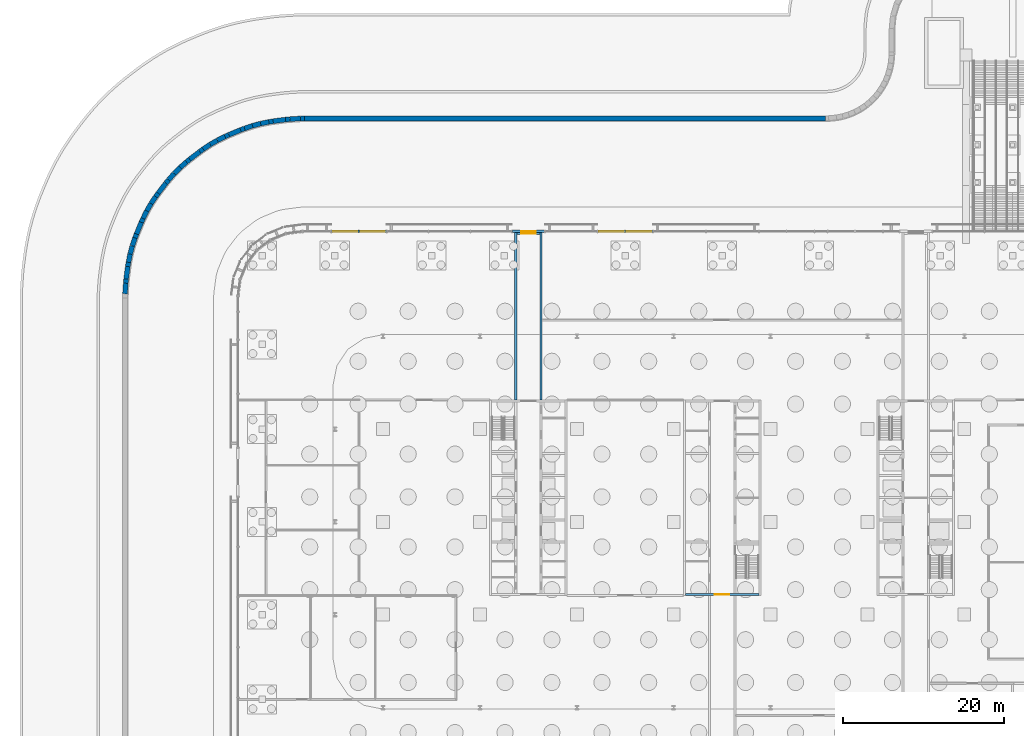
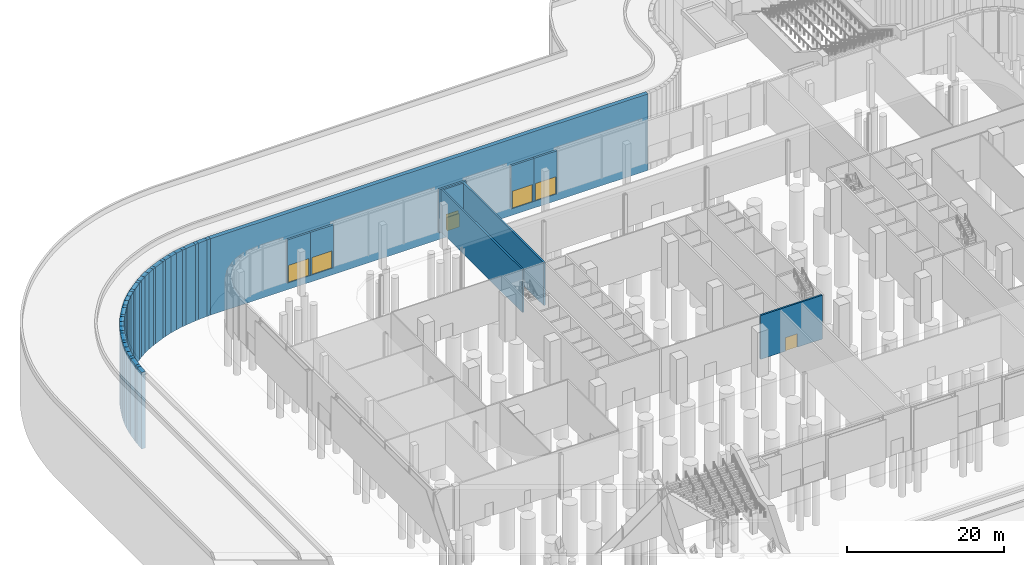
# One storey, part 26 of 48: 46 walls, 7 doors, 7 openings.
"""IFC4 building model written with IfcOpenShell, lengths in metres."""

from ifc_helpers import new_model, si_unit, direction, frame, frame_2d, origin, place, context, subcontext, project, spatial, rectangle, extrude, material, layer, layer_set, type_object, element, fill, save


model = new_model("IFC4")

# Units and contexts
model_context = context("Model", 3, precision=1e-05, world=origin(), true_north=direction((0.0, 1.0)))
body_context = subcontext(model_context, "Body", "Model", "MODEL_VIEW")
ifc_project = project(units=[si_unit("LENGTHUNIT", "METRE"), si_unit("AREAUNIT", "SQUARE_METRE"), si_unit("VOLUMEUNIT", "CUBIC_METRE"), si_unit("PLANEANGLEUNIT", "RADIAN"), si_unit("MASSUNIT", "GRAM", prefix="KILO")], contexts=[model_context])

# Site, building, storey
site_placement = place(None, origin())
site = spatial("IfcSite", under=ifc_project, at=site_placement, CompositionType="ELEMENT")
building_placement = place(site_placement, origin())
building = spatial("IfcBuilding", under=site, at=building_placement, Name="Mahtab Terrace Research Tower", CompositionType="ELEMENT")
storey_placement = place(building_placement, origin())
storey = spatial("IfcBuildingStorey", under=building, at=storey_placement, Name="G", CompositionType="ELEMENT", Elevation=0.0)

# Wall, opening, door
ifc_material_1 = material(Name="Concrete C70/85", Category="concrete")
ifc_layer_1 = layer(ifc_material_1, 0.25)
ifc_layer_set_1 = layer_set([ifc_layer_1], Name="Core wall 250")
wall_type_1 = type_object("IfcWallType", Name="Core wall 250", PredefinedType="SOLIDWALL", material=ifc_layer_set_1)
wall_1_placement = place(storey_placement, frame((4.550048828125, -9.0, 0.0), z_axis=(0.0, 0.0, 1.0), x_axis=(-1.0, 0.0, 0.0)))
wall_1 = element("IfcWall", 1, at=wall_1_placement, inside=storey, type_object=wall_type_1, Name="Core wall B endS", PredefinedType="SOLIDWALL", context=body_context, shape_type="SweptSolid", body=[
    extrude(rectangle(XDim=9.10009765625, YDim=0.25, at=frame_2d((4.550048828125, 0.0))), origin(), (0.0, 0.0, 1.0), 6.860107421875),
])
opening_1_placement = place(wall_1_placement, frame((3.64990234375, 0.0, 0.0)))
opening_1 = element("IfcOpeningElement", 2, at=opening_1_placement, cuts=wall_1, Name="Opening B-S1", PredefinedType="OPENING", context=body_context, shape_type="SweptSolid", body=[
    extrude(rectangle(XDim=1.800048828125, YDim=2.10009765625, at=frame_2d((0.89990234375, 1.050048828125))), frame((0.0, 0.135009765625, 0.0), z_axis=(0.0, -1.0, 0.0), x_axis=(1.0, 0.0, 0.0)), (0.0, 0.0, 1.0), 0.27001953125),
])
ifc_material_2 = material(Name="Steel fire door", Category="steel")
door_type_1 = type_object("IfcDoorType", Name="Lobby double door 1800x2100 1 HR", OperationType="DOUBLE_DOOR_SINGLE_SWING", PredefinedType="DOOR", material=ifc_material_2)
door_1_placement = place(opening_1_placement, origin())
door_1 = element("IfcDoor", 3, at=door_1_placement, inside=storey, type_object=door_type_1, Name="Core entrance door B S", OperationType="DOUBLE_DOOR_SINGLE_SWING", OverallHeight=2.10009765625, OverallWidth=1.800048828125, PredefinedType="DOOR", context=body_context, shape_type="SweptSolid", body=[
    extrude(rectangle(XDim=1.800048828125, YDim=2.10009765625, at=frame_2d((0.89990234375, 1.050048828125))), frame((0.0, 0.02490234375, 0.0), z_axis=(0.0, -1.0, 0.0), x_axis=(1.0, 0.0, 0.0)), (0.0, 0.0, 1.0), 0.050048828125),
])
fill(opening_1, door_1)

# Walls
for number, where, z_axis, x_axis, name in (
    (4, (-25.574951171875, 15.125, 0.0), (0.0, 0.0, 1.0), (0.0, 1.0, 0.0), "Exit passage ST1 wall W"),
    (5, (-22.425048828125, 15.125, 0.0), (0.0, 0.0, 1.0), (0.0, 1.0, 0.0), "Exit passage ST1 wall E"),
):
    element("IfcWall", number, at=place(storey_placement, frame(where, z_axis=z_axis, x_axis=x_axis)), inside=storey, type_object=wall_type_1, Name=name, PredefinedType="SOLIDWALL", context=body_context, shape_type="SweptSolid", body=[
        extrude(rectangle(XDim=20.72509765625, YDim=0.25, at=frame_2d((10.362548828125, 0.0))), origin(), (0.0, 0.0, 1.0), 6.699951171875),
    ])

# Wall, opening, door
wall_2_placement = place(storey_placement, frame((-25.449951171875, 35.72509765625, 0.0), z_axis=(0.0, 0.0, 1.0), x_axis=(1.0, 0.0, 0.0)))
wall_2 = element("IfcWall", 6, at=wall_2_placement, inside=storey, type_object=wall_type_1, Name="Exit passage ST1 end wall", PredefinedType="SOLIDWALL", context=body_context, shape_type="SweptSolid", body=[
    extrude(rectangle(XDim=2.89990234375, YDim=0.25, at=frame_2d((1.449951171875, 0.0))), origin(), (0.0, 0.0, 1.0), 6.699951171875),
])
opening_2_placement = place(wall_2_placement, frame((0.550048828125, 0.0, 0.0)))
opening_2 = element("IfcOpeningElement", 7, at=opening_2_placement, cuts=wall_2, Name="Opening EX-ST1", PredefinedType="OPENING", context=body_context, shape_type="SweptSolid", body=[
    extrude(rectangle(XDim=1.800048828125, YDim=2.10009765625, at=frame_2d((0.89990234375, 1.050048828125))), frame((0.0, 0.135009765625, 0.0), z_axis=(0.0, -1.0, 0.0), x_axis=(1.0, 0.0, 0.0)), (0.0, 0.0, 1.0), 0.27001953125),
])
ifc_material_3 = material(Name="Steel and glass door", Category="steel")
door_type_2 = type_object("IfcDoorType", Name="Exit door 1800x2100", OperationType="DOUBLE_DOOR_SINGLE_SWING", PredefinedType="DOOR", material=ifc_material_3)
door_2_placement = place(opening_2_placement, origin())
door_2 = element("IfcDoor", 8, at=door_2_placement, inside=storey, type_object=door_type_2, Name="Exit door ST1", OperationType="DOUBLE_DOOR_SINGLE_SWING", OverallHeight=2.10009765625, OverallWidth=1.800048828125, PredefinedType="DOOR", context=body_context, shape_type="SweptSolid", body=[
    extrude(rectangle(XDim=1.800048828125, YDim=2.10009765625, at=frame_2d((0.89990234375, 1.050048828125))), frame((0.0, 0.02490234375, 0.0), z_axis=(0.0, -1.0, 0.0), x_axis=(1.0, 0.0, 0.0)), (0.0, 0.0, 1.0), 0.050048828125),
])
fill(opening_2, door_2)

ifc_material_4 = material(Name="Precast concrete C40/50", Category="concrete")
ifc_layer_2 = layer(ifc_material_4, 0.300048828125)
ifc_layer_set_2 = layer_set([ifc_layer_2], Name="Ground facade infill wall 300")
wall_type_2 = type_object("IfcWallType", Name="Ground facade infill wall 300", PredefinedType="NOTDEFINED", material=ifc_layer_set_2)
wall_3_placement = place(storey_placement, frame((-12.0, 36.0, 0.0), z_axis=(0.0, 0.0, 1.0), x_axis=(1.0, 0.0, 0.0)))
wall_3 = element("IfcWall", 9, at=wall_3_placement, inside=storey, type_object=wall_type_2, Name="Ground facade wall Forum exit 2", PredefinedType="NOTDEFINED", context=body_context, shape_type="SweptSolid", body=[
    extrude(rectangle(XDim=3.39990234375, YDim=0.300048828125, at=frame_2d((1.699951171875, 0.0))), origin(), (0.0, 0.0, 1.0), 6.699951171875),
])
opening_3_placement = place(wall_3_placement, frame((0.199951171875, 0.0, 0.0)))
opening_3 = element("IfcOpeningElement", 10, at=opening_3_placement, cuts=wall_3, Name="Opening ED2", PredefinedType="OPENING", context=body_context, shape_type="SweptSolid", body=[
    extrude(rectangle(XDim=3.0, YDim=2.699951171875, at=frame_2d((1.5, 1.35009765625))), frame((0.0, 0.159912109375, 0.0), z_axis=(0.0, -1.0, 0.0), x_axis=(1.0, 0.0, 0.0)), (0.0, 0.0, 1.0), 0.320068359375),
])
ifc_material_5 = material(Name="Black anodised aluminium", Category="aluminium")
door_type_3 = type_object("IfcDoorType", Name="Entrance double door 3000x2700", OperationType="DOUBLE_DOOR_DOUBLE_SWING", PredefinedType="DOOR", material=ifc_material_5)
door_3_placement = place(opening_3_placement, origin())
door_3 = element("IfcDoor", 11, at=door_3_placement, inside=storey, type_object=door_type_3, Name="Forum exit 2", OperationType="SINGLE_SWING_LEFT", OverallHeight=2.699951171875, OverallWidth=3.0, PredefinedType="DOOR", context=body_context, shape_type="SweptSolid", body=[
    extrude(rectangle(XDim=3.0, YDim=2.699951171875, at=frame_2d((1.5, 1.35009765625))), frame((0.0, 0.02490234375, 0.0), z_axis=(0.0, -1.0, 0.0), x_axis=(1.0, 0.0, 0.0)), (0.0, 0.0, 1.0), 0.050048828125),
])
fill(opening_3, door_3)

wall_4_placement = place(storey_placement, frame((-15.39990234375, 36.0, 0.0), z_axis=(0.0, 0.0, 1.0), x_axis=(1.0, 0.0, 0.0)))
wall_4 = element("IfcWall", 12, at=wall_4_placement, inside=storey, type_object=wall_type_2, Name="Ground facade wall Forum exit 1", PredefinedType="NOTDEFINED", context=body_context, shape_type="SweptSolid", body=[
    extrude(rectangle(XDim=3.39990234375, YDim=0.300048828125, at=frame_2d((1.699951171875, 0.0))), origin(), (0.0, 0.0, 1.0), 6.699951171875),
])
opening_4_placement = place(wall_4_placement, frame((0.199951171875, 0.0, 0.0)))
opening_4 = element("IfcOpeningElement", 13, at=opening_4_placement, cuts=wall_4, Name="Opening ED2", PredefinedType="OPENING", context=body_context, shape_type="SweptSolid", body=[
    extrude(rectangle(XDim=3.0, YDim=2.699951171875, at=frame_2d((1.5, 1.35009765625))), frame((0.0, 0.159912109375, 0.0), z_axis=(0.0, -1.0, 0.0), x_axis=(1.0, 0.0, 0.0)), (0.0, 0.0, 1.0), 0.320068359375),
])
door_4_placement = place(opening_4_placement, origin())
door_4 = element("IfcDoor", 14, at=door_4_placement, inside=storey, type_object=door_type_3, Name="Forum exit 1", OperationType="SINGLE_SWING_LEFT", OverallHeight=2.699951171875, OverallWidth=3.0, PredefinedType="DOOR", context=body_context, shape_type="SweptSolid", body=[
    extrude(rectangle(XDim=3.0, YDim=2.699951171875, at=frame_2d((1.5, 1.35009765625))), frame((0.0, 0.02490234375, 0.0), z_axis=(0.0, -1.0, 0.0), x_axis=(1.0, 0.0, 0.0)), (0.0, 0.0, 1.0), 0.050048828125),
])
fill(opening_4, door_4)

wall_5_placement = place(storey_placement, frame((-26.0, 36.0, 0.0), z_axis=(0.0, 0.0, 1.0), x_axis=(1.0, 0.0, 0.0)))
wall_5 = element("IfcWall", 15, at=wall_5_placement, inside=storey, type_object=wall_type_2, Name="Ground facade wall Stair discharge ST1", PredefinedType="NOTDEFINED", context=body_context, shape_type="SweptSolid", body=[
    extrude(rectangle(XDim=4.0, YDim=0.300048828125, at=frame_2d((2.0, 0.0))), origin(), (0.0, 0.0, 1.0), 6.699951171875),
])
opening_5_placement = place(wall_5_placement, frame((1.10009765625, 0.0, 0.0)))
opening_5 = element("IfcOpeningElement", 16, at=opening_5_placement, cuts=wall_5, Name="Opening ED3", PredefinedType="OPENING", context=body_context, shape_type="SweptSolid", body=[
    extrude(rectangle(XDim=1.800048828125, YDim=2.39990234375, at=frame_2d((0.89990234375, 1.199951171875))), frame((0.0, 0.159912109375, 0.0), z_axis=(0.0, -1.0, 0.0), x_axis=(1.0, 0.0, 0.0)), (0.0, 0.0, 1.0), 0.320068359375),
])
door_type_4 = type_object("IfcDoorType", Name="Stair discharge door 1800x2400", OperationType="DOUBLE_DOOR_DOUBLE_SWING", PredefinedType="DOOR", material=ifc_material_5)
door_5_placement = place(opening_5_placement, origin())
door_5 = element("IfcDoor", 17, at=door_5_placement, inside=storey, type_object=door_type_4, Name="Stair discharge ST1", OperationType="SINGLE_SWING_LEFT", OverallHeight=2.39990234375, OverallWidth=1.800048828125, PredefinedType="DOOR", context=body_context, shape_type="SweptSolid", body=[
    extrude(rectangle(XDim=1.800048828125, YDim=2.39990234375, at=frame_2d((0.89990234375, 1.199951171875))), frame((0.0, 0.02490234375, 0.0), z_axis=(0.0, -1.0, 0.0), x_axis=(1.0, 0.0, 0.0)), (0.0, 0.0, 1.0), 0.050048828125),
])
fill(opening_5, door_5)

wall_6_placement = place(storey_placement, frame((-45.0, 36.0, 0.0), z_axis=(0.0, 0.0, 1.0), x_axis=(1.0, 0.0, 0.0)))
wall_6 = element("IfcWall", 18, at=wall_6_placement, inside=storey, type_object=wall_type_2, Name="Ground facade wall Auditorium exit 2", PredefinedType="NOTDEFINED", context=body_context, shape_type="SweptSolid", body=[
    extrude(rectangle(XDim=3.39990234375, YDim=0.300048828125, at=frame_2d((1.699951171875, 0.0))), origin(), (0.0, 0.0, 1.0), 6.699951171875),
])
opening_6_placement = place(wall_6_placement, frame((0.199951171875, 0.0, 0.0)))
opening_6 = element("IfcOpeningElement", 19, at=opening_6_placement, cuts=wall_6, Name="Opening ED2", PredefinedType="OPENING", context=body_context, shape_type="SweptSolid", body=[
    extrude(rectangle(XDim=3.0, YDim=2.699951171875, at=frame_2d((1.5, 1.35009765625))), frame((0.0, 0.159912109375, 0.0), z_axis=(0.0, -1.0, 0.0), x_axis=(1.0, 0.0, 0.0)), (0.0, 0.0, 1.0), 0.320068359375),
])
door_6_placement = place(opening_6_placement, origin())
door_6 = element("IfcDoor", 20, at=door_6_placement, inside=storey, type_object=door_type_3, Name="Auditorium exit 2", OperationType="SINGLE_SWING_LEFT", OverallHeight=2.699951171875, OverallWidth=3.0, PredefinedType="DOOR", context=body_context, shape_type="SweptSolid", body=[
    extrude(rectangle(XDim=3.0, YDim=2.699951171875, at=frame_2d((1.5, 1.35009765625))), frame((0.0, 0.02490234375, 0.0), z_axis=(0.0, -1.0, 0.0), x_axis=(1.0, 0.0, 0.0)), (0.0, 0.0, 1.0), 0.050048828125),
])
fill(opening_6, door_6)

wall_7_placement = place(storey_placement, frame((-48.39990234375, 36.0, 0.0), z_axis=(0.0, 0.0, 1.0), x_axis=(1.0, 0.0, 0.0)))
wall_7 = element("IfcWall", 21, at=wall_7_placement, inside=storey, type_object=wall_type_2, Name="Ground facade wall Auditorium exit 1", PredefinedType="NOTDEFINED", context=body_context, shape_type="SweptSolid", body=[
    extrude(rectangle(XDim=3.39990234375, YDim=0.300048828125, at=frame_2d((1.699951171875, 0.0))), origin(), (0.0, 0.0, 1.0), 6.699951171875),
])
opening_7_placement = place(wall_7_placement, frame((0.199951171875, 0.0, 0.0)))
opening_7 = element("IfcOpeningElement", 22, at=opening_7_placement, cuts=wall_7, Name="Opening ED2", PredefinedType="OPENING", context=body_context, shape_type="SweptSolid", body=[
    extrude(rectangle(XDim=3.0, YDim=2.699951171875, at=frame_2d((1.5, 1.35009765625))), frame((0.0, 0.159912109375, 0.0), z_axis=(0.0, -1.0, 0.0), x_axis=(1.0, 0.0, 0.0)), (0.0, 0.0, 1.0), 0.320068359375),
])
door_7_placement = place(opening_7_placement, origin())
door_7 = element("IfcDoor", 23, at=door_7_placement, inside=storey, type_object=door_type_3, Name="Auditorium exit 1", OperationType="SINGLE_SWING_LEFT", OverallHeight=2.699951171875, OverallWidth=3.0, PredefinedType="DOOR", context=body_context, shape_type="SweptSolid", body=[
    extrude(rectangle(XDim=3.0, YDim=2.699951171875, at=frame_2d((1.5, 1.35009765625))), frame((0.0, 0.02490234375, 0.0), z_axis=(0.0, -1.0, 0.0), x_axis=(1.0, 0.0, 0.0)), (0.0, 0.0, 1.0), 0.050048828125),
])
fill(opening_7, door_7)

# Walls
ifc_material_6 = material(Name="Concrete C32/40", Category="concrete")
ifc_layer_3 = layer(ifc_material_6, 0.60009765625)
ifc_layer_set_3 = layer_set([ifc_layer_3], Name="Site retaining wall 600")
wall_type_3 = type_object("IfcWallType", Name="Site retaining wall 600", PredefinedType="SOLIDWALL", material=ifc_layer_set_3)
wall_8_placement = place(storey_placement, frame((-73.35205078125, 33.181884765625, -12.25), z_axis=(0.0, 0.0, 1.0), x_axis=(0.259144501686, 0.965838561689, 0.0)))
element("IfcWall", 24, at=wall_8_placement, inside=storey, type_object=wall_type_3, Name="Site retaining wall 1", PredefinedType="SOLIDWALL", context=body_context, shape_type="SweptSolid", body=[
    extrude(rectangle(XDim=1.045654296875, YDim=0.60009765625, at=frame_2d((0.52294921875, 0.0))), origin(), (0.0, 0.0, 1.0), 11.93994140625),
])
wall_9_placement = place(storey_placement, frame((-73.0810546875, 34.19189453125, -12.25), z_axis=(0.0, 0.0, 1.0), x_axis=(0.321621966631, 0.946868159028, 0.0)))
element("IfcWall", 25, at=wall_9_placement, inside=storey, type_object=wall_type_3, Name="Site retaining wall 2", PredefinedType="SOLIDWALL", context=body_context, shape_type="SweptSolid", body=[
    extrude(rectangle(XDim=1.04443359375, YDim=0.60009765625, at=frame_2d((0.522216796875, 0.0))), origin(), (0.0, 0.0, 1.0), 11.93994140625),
])
wall_10_placement = place(storey_placement, frame((-72.7451171875, 35.180908203125, -12.25), z_axis=(0.0, 0.0, 1.0), x_axis=(0.352300871053, 0.93588679671, 0.0)))
element("IfcWall", 26, at=wall_10_placement, inside=storey, type_object=wall_type_3, Name="Site retaining wall 3", PredefinedType="SOLIDWALL", context=body_context, shape_type="SweptSolid", body=[
    extrude(rectangle(XDim=0.5224609375, YDim=0.60009765625, at=frame_2d((0.26123046875, 0.0))), origin(), (0.0, 0.0, 1.0), 11.93994140625),
])
wall_11_placement = place(storey_placement, frame((-72.56103515625, 35.669921875, -12.25), z_axis=(0.0, 0.0, 1.0), x_axis=(0.382765051235, 0.923845720645, 0.0)))
element("IfcWall", 27, at=wall_11_placement, inside=storey, type_object=wall_type_3, Name="Site retaining wall 4", PredefinedType="SOLIDWALL", context=body_context, shape_type="SweptSolid", body=[
    extrude(rectangle(XDim=1.565185546875, YDim=0.60009765625, at=frame_2d((0.78271484375, 0.0))), origin(), (0.0, 0.0, 1.0), 11.93994140625),
])
wall_12_placement = place(storey_placement, frame((-71.9619140625, 37.115966796875, -12.25), z_axis=(0.0, 0.0, 1.0), x_axis=(0.411336227133, 0.911483685124, 0.0)))
element("IfcWall", 28, at=wall_12_placement, inside=storey, type_object=wall_type_3, Name="Site retaining wall 5", PredefinedType="SOLIDWALL", context=body_context, shape_type="SweptSolid", body=[
    extrude(rectangle(XDim=0.522216796875, YDim=0.60009765625, at=frame_2d((0.26123046875, 0.0))), origin(), (0.0, 0.0, 1.0), 11.93994140625),
])
wall_13_placement = place(storey_placement, frame((-71.7470703125, 37.592041015625, -12.25), z_axis=(0.0, 0.0, 1.0), x_axis=(0.442346554803, 0.896844203557, 0.0)))
element("IfcWall", 29, at=wall_13_placement, inside=storey, type_object=wall_type_3, Name="Site retaining wall 6", PredefinedType="SOLIDWALL", context=body_context, shape_type="SweptSolid", body=[
    extrude(rectangle(XDim=1.044677734375, YDim=0.60009765625, at=frame_2d((0.5224609375, 0.0))), origin(), (0.0, 0.0, 1.0), 11.93994140625),
])
wall_14_placement = place(storey_placement, frame((-71.284912109375, 38.529052734375, -12.25), z_axis=(0.0, 0.0, 1.0), x_axis=(0.499904278411, 0.866080661617, 0.0)))
element("IfcWall", 30, at=wall_14_placement, inside=storey, type_object=wall_type_3, Name="Site retaining wall 7", PredefinedType="SOLIDWALL", context=body_context, shape_type="SweptSolid", body=[
    extrude(rectangle(XDim=1.046142578125, YDim=0.60009765625, at=frame_2d((0.52294921875, 0.0))), origin(), (0.0, 0.0, 1.0), 11.93994140625),
])
wall_15_placement = place(storey_placement, frame((-70.761962890625, 39.43505859375, -12.25), z_axis=(0.0, 0.0, 1.0), x_axis=(0.555671271426, 0.831402091717, 0.0)))
element("IfcWall", 31, at=wall_15_placement, inside=storey, type_object=wall_type_3, Name="Site retaining wall 8", PredefinedType="SOLIDWALL", context=body_context, shape_type="SweptSolid", body=[
    extrude(rectangle(XDim=1.0439453125, YDim=0.60009765625, at=frame_2d((0.52197265625, 0.0))), origin(), (0.0, 0.0, 1.0), 11.93994140625),
])
wall_16_placement = place(storey_placement, frame((-70.181884765625, 40.302978515625, -12.25), z_axis=(0.0, 0.0, 1.0), x_axis=(0.58291457385, 0.812533445215, 0.0)))
element("IfcWall", 32, at=wall_16_placement, inside=storey, type_object=wall_type_3, Name="Site retaining wall 9", PredefinedType="SOLIDWALL", context=body_context, shape_type="SweptSolid", body=[
    extrude(rectangle(XDim=0.523193359375, YDim=0.60009765625, at=frame_2d((0.26171875, 0.0))), origin(), (0.0, 0.0, 1.0), 11.93994140625),
])
wall_17_placement = place(storey_placement, frame((-69.876953125, 40.72802734375, -12.25), z_axis=(0.0, 0.0, 1.0), x_axis=(0.60832999878, 0.79368420205, 0.0)))
element("IfcWall", 33, at=wall_17_placement, inside=storey, type_object=wall_type_3, Name="Site retaining wall 10", PredefinedType="SOLIDWALL", context=body_context, shape_type="SweptSolid", body=[
    extrude(rectangle(XDim=1.564697265625, YDim=0.60009765625, at=frame_2d((0.7822265625, 0.0))), origin(), (0.0, 0.0, 1.0), 11.93994140625),
])
wall_18_placement = place(storey_placement, frame((-68.925048828125, 41.969970703125, -12.25), z_axis=(0.0, 0.0, 1.0), x_axis=(0.635086879422, 0.772440713315, 0.0)))
element("IfcWall", 34, at=wall_18_placement, inside=storey, type_object=wall_type_3, Name="Site retaining wall 11", PredefinedType="SOLIDWALL", context=body_context, shape_type="SweptSolid", body=[
    extrude(rectangle(XDim=0.5244140625, YDim=0.60009765625, at=frame_2d((0.26220703125, 0.0))), origin(), (0.0, 0.0, 1.0), 11.93994140625),
])
wall_19_placement = place(storey_placement, frame((-68.592041015625, 42.375, -12.25), z_axis=(0.0, 0.0, 1.0), x_axis=(0.658636785245, 0.752461019005, 0.0)))
element("IfcWall", 35, at=wall_19_placement, inside=storey, type_object=wall_type_3, Name="Site retaining wall 12", PredefinedType="SOLIDWALL", context=body_context, shape_type="SweptSolid", body=[
    extrude(rectangle(XDim=1.046142578125, YDim=0.60009765625, at=frame_2d((0.52294921875, 0.0))), origin(), (0.0, 0.0, 1.0), 11.93994140625),
])
wall_20_placement = place(storey_placement, frame((-67.903076171875, 43.162109375, -12.25), z_axis=(0.0, 0.0, 1.0), x_axis=(0.707106781187, 0.707106781187, 0.0)))
element("IfcWall", 36, at=wall_20_placement, inside=storey, type_object=wall_type_3, Name="Site retaining wall 13", PredefinedType="SOLIDWALL", context=body_context, shape_type="SweptSolid", body=[
    extrude(rectangle(XDim=1.0478515625, YDim=0.60009765625, at=frame_2d((0.52392578125, 0.0))), origin(), (0.0, 0.0, 1.0), 11.93994140625),
])
wall_21_placement = place(storey_placement, frame((-67.162109375, 43.903076171875, -12.25), z_axis=(0.0, 0.0, 1.0), x_axis=(0.751998439895, 0.65916488559, 0.0)))
element("IfcWall", 37, at=wall_21_placement, inside=storey, type_object=wall_type_3, Name="Site retaining wall 14", PredefinedType="SOLIDWALL", context=body_context, shape_type="SweptSolid", body=[
    extrude(rectangle(XDim=1.046630859375, YDim=0.60009765625, at=frame_2d((0.5234375, 0.0))), origin(), (0.0, 0.0, 1.0), 11.93994140625),
])
wall_22_placement = place(storey_placement, frame((-66.375, 44.593017578125, -12.25), z_axis=(0.0, 0.0, 1.0), x_axis=(0.773354637197, 0.633973662802, 0.0)))
element("IfcWall", 38, at=wall_22_placement, inside=storey, type_object=wall_type_3, Name="Site retaining wall 15", PredefinedType="SOLIDWALL", context=body_context, shape_type="SweptSolid", body=[
    extrude(rectangle(XDim=0.523681640625, YDim=0.60009765625, at=frame_2d((0.26171875, 0.0))), origin(), (0.0, 0.0, 1.0), 11.93994140625),
])
wall_23_placement = place(storey_placement, frame((-65.969970703125, 44.925048828125, -12.25), z_axis=(0.0, 0.0, 1.0), x_axis=(0.79368420205, 0.60832999878, 0.0)))
element("IfcWall", 39, at=wall_23_placement, inside=storey, type_object=wall_type_3, Name="Site retaining wall 16", PredefinedType="SOLIDWALL", context=body_context, shape_type="SweptSolid", body=[
    extrude(rectangle(XDim=1.564697265625, YDim=0.60009765625, at=frame_2d((0.7822265625, 0.0))), origin(), (0.0, 0.0, 1.0), 11.93994140625),
])
wall_24_placement = place(storey_placement, frame((-64.72802734375, 45.876953125, -12.25), z_axis=(0.0, 0.0, 1.0), x_axis=(0.812533445215, 0.58291457385, 0.0)))
element("IfcWall", 40, at=wall_24_placement, inside=storey, type_object=wall_type_3, Name="Site retaining wall 17", PredefinedType="SOLIDWALL", context=body_context, shape_type="SweptSolid", body=[
    extrude(rectangle(XDim=0.523193359375, YDim=0.60009765625, at=frame_2d((0.26171875, 0.0))), origin(), (0.0, 0.0, 1.0), 11.93994140625),
])
wall_25_placement = place(storey_placement, frame((-64.302978515625, 46.181884765625, -12.25), z_axis=(0.0, 0.0, 1.0), x_axis=(0.831402091717, 0.555671271426, 0.0)))
element("IfcWall", 41, at=wall_25_placement, inside=storey, type_object=wall_type_3, Name="Site retaining wall 18", PredefinedType="SOLIDWALL", context=body_context, shape_type="SweptSolid", body=[
    extrude(rectangle(XDim=1.0439453125, YDim=0.60009765625, at=frame_2d((0.52197265625, 0.0))), origin(), (0.0, 0.0, 1.0), 11.93994140625),
])
wall_26_placement = place(storey_placement, frame((-63.43505859375, 46.761962890625, -12.25), z_axis=(0.0, 0.0, 1.0), x_axis=(0.866080661617, 0.499904278411, 0.0)))
element("IfcWall", 42, at=wall_26_placement, inside=storey, type_object=wall_type_3, Name="Site retaining wall 19", PredefinedType="SOLIDWALL", context=body_context, shape_type="SweptSolid", body=[
    extrude(rectangle(XDim=1.046142578125, YDim=0.60009765625, at=frame_2d((0.52294921875, 0.0))), origin(), (0.0, 0.0, 1.0), 11.93994140625),
])
wall_27_placement = place(storey_placement, frame((-62.529052734375, 47.284912109375, -12.25), z_axis=(0.0, 0.0, 1.0), x_axis=(0.896844203557, 0.442346554803, 0.0)))
element("IfcWall", 43, at=wall_27_placement, inside=storey, type_object=wall_type_3, Name="Site retaining wall 20", PredefinedType="SOLIDWALL", context=body_context, shape_type="SweptSolid", body=[
    extrude(rectangle(XDim=1.044677734375, YDim=0.60009765625, at=frame_2d((0.5224609375, 0.0))), origin(), (0.0, 0.0, 1.0), 11.93994140625),
])
wall_28_placement = place(storey_placement, frame((-61.592041015625, 47.7470703125, -12.25), z_axis=(0.0, 0.0, 1.0), x_axis=(0.91078189984, 0.412887794594, 0.0)))
element("IfcWall", 44, at=wall_28_placement, inside=storey, type_object=wall_type_3, Name="Site retaining wall 21", PredefinedType="SOLIDWALL", context=body_context, shape_type="SweptSolid", body=[
    extrude(rectangle(XDim=0.522705078125, YDim=0.60009765625, at=frame_2d((0.26123046875, 0.0))), origin(), (0.0, 0.0, 1.0), 11.93994140625),
])
wall_29_placement = place(storey_placement, frame((-61.115966796875, 47.962890625, -12.25), z_axis=(0.0, 0.0, 1.0), x_axis=(0.924066242086, 0.382232364192, 0.0)))
element("IfcWall", 45, at=wall_29_placement, inside=storey, type_object=wall_type_3, Name="Site retaining wall 22", PredefinedType="SOLIDWALL", context=body_context, shape_type="SweptSolid", body=[
    extrude(rectangle(XDim=1.56494140625, YDim=0.60009765625, at=frame_2d((0.782470703125, 0.0))), origin(), (0.0, 0.0, 1.0), 11.93994140625),
])
wall_30_placement = place(storey_placement, frame((-59.669921875, 48.56103515625, -12.25), z_axis=(0.0, 0.0, 1.0), x_axis=(0.935269548219, 0.353936254393, 0.0)))
element("IfcWall", 46, at=wall_30_placement, inside=storey, type_object=wall_type_3, Name="Site retaining wall 23", PredefinedType="SOLIDWALL", context=body_context, shape_type="SweptSolid", body=[
    extrude(rectangle(XDim=0.52294921875, YDim=0.60009765625, at=frame_2d((0.261474609375, 0.0))), origin(), (0.0, 0.0, 1.0), 11.93994140625),
])
wall_31_placement = place(storey_placement, frame((-59.180908203125, 48.74609375, -12.25), z_axis=(0.0, 0.0, 1.0), x_axis=(0.947152596252, 0.320783352767, 0.0)))
element("IfcWall", 47, at=wall_31_placement, inside=storey, type_object=wall_type_3, Name="Site retaining wall 24", PredefinedType="SOLIDWALL", context=body_context, shape_type="SweptSolid", body=[
    extrude(rectangle(XDim=1.044189453125, YDim=0.60009765625, at=frame_2d((0.52197265625, 0.0))), origin(), (0.0, 0.0, 1.0), 11.93994140625),
])
wall_32_placement = place(storey_placement, frame((-58.19189453125, 49.0810546875, -12.25), z_axis=(0.0, 0.0, 1.0), x_axis=(0.965838561689, 0.259144501686, 0.0)))
element("IfcWall", 48, at=wall_32_placement, inside=storey, type_object=wall_type_3, Name="Site retaining wall 25", PredefinedType="SOLIDWALL", context=body_context, shape_type="SweptSolid", body=[
    extrude(rectangle(XDim=1.045654296875, YDim=0.60009765625, at=frame_2d((0.52294921875, 0.0))), origin(), (0.0, 0.0, 1.0), 11.93994140625),
])
wall_33_placement = place(storey_placement, frame((-57.181884765625, 49.35205078125, -12.25), z_axis=(0.0, 0.0, 1.0), x_axis=(0.98078680558, 0.195082654278, 0.0)))
element("IfcWall", 49, at=wall_33_placement, inside=storey, type_object=wall_type_3, Name="Site retaining wall 26", PredefinedType="SOLIDWALL", context=body_context, shape_type="SweptSolid", body=[
    extrude(rectangle(XDim=1.044921875, YDim=0.60009765625, at=frame_2d((0.5224609375, 0.0))), origin(), (0.0, 0.0, 1.0), 11.93994140625),
])
wall_34_placement = place(storey_placement, frame((-56.156982421875, 49.555908203125, -12.25), z_axis=(0.0, 0.0, 1.0), x_axis=(0.98663265187, 0.162960149315, 0.0)))
element("IfcWall", 50, at=wall_34_placement, inside=storey, type_object=wall_type_3, Name="Site retaining wall 27", PredefinedType="SOLIDWALL", context=body_context, shape_type="SweptSolid", body=[
    extrude(rectangle(XDim=0.52294921875, YDim=0.60009765625, at=frame_2d((0.261474609375, 0.0))), origin(), (0.0, 0.0, 1.0), 11.93994140625),
])
wall_35_placement = place(storey_placement, frame((-55.64111328125, 49.64111328125, -12.25), z_axis=(0.0, 0.0, 1.0), x_axis=(0.991392038844, 0.130926793734, 0.0)))
element("IfcWall", 51, at=wall_35_placement, inside=storey, type_object=wall_type_3, Name="Site retaining wall 28", PredefinedType="SOLIDWALL", context=body_context, shape_type="SweptSolid", body=[
    extrude(rectangle(XDim=1.564453125, YDim=0.60009765625, at=frame_2d((0.7822265625, 0.0))), origin(), (0.0, 0.0, 1.0), 11.93994140625),
])
wall_36_placement = place(storey_placement, frame((-54.090087890625, 49.845947265625, -12.25), z_axis=(0.0, 0.0, 1.0), x_axis=(0.995255962326, 0.097291158151, 0.0)))
element("IfcWall", 52, at=wall_36_placement, inside=storey, type_object=wall_type_3, Name="Site retaining wall 29", PredefinedType="SOLIDWALL", context=body_context, shape_type="SweptSolid", body=[
    extrude(rectangle(XDim=0.5244140625, YDim=0.60009765625, at=frame_2d((0.26220703125, 0.0))), origin(), (0.0, 0.0, 1.0), 11.93994140625),
])
wall_37_placement = place(storey_placement, frame((-53.568115234375, 49.89697265625, -12.25), z_axis=(0.0, 0.0, 1.0), x_axis=(0.997842550974, 0.065652444475, 0.0)))
element("IfcWall", 53, at=wall_37_placement, inside=storey, type_object=wall_type_3, Name="Site retaining wall 30", PredefinedType="SOLIDWALL", context=body_context, shape_type="SweptSolid", body=[
    extrude(rectangle(XDim=1.30908203125, YDim=0.60009765625, at=frame_2d((0.654541015625, 0.0))), origin(), (0.0, 0.0, 1.0), 11.93994140625),
])
wall_38_placement = place(storey_placement, frame((-52.261962890625, 49.98291015625, -12.25), z_axis=(0.0, 0.0, 1.0), x_axis=(0.999468430254, 0.032601486541, 0.0)))
element("IfcWall", 54, at=wall_38_placement, inside=storey, type_object=wall_type_3, Name="Site retaining wall 31", PredefinedType="SOLIDWALL", context=body_context, shape_type="SweptSolid", body=[
    extrude(rectangle(XDim=0.524169921875, YDim=0.60009765625, at=frame_2d((0.26220703125, 0.0))), origin(), (0.0, 0.0, 1.0), 11.93994140625),
])
wall_39_placement = place(storey_placement, frame((-51.738037109375, 50.0, -12.25), z_axis=(0.0, 0.0, 1.0), x_axis=(1.0, 0.0, 0.0)))
element("IfcWall", 55, at=wall_39_placement, inside=storey, type_object=wall_type_3, Name="Site retaining wall 32", PredefinedType="SOLIDWALL", context=body_context, shape_type="SweptSolid", body=[
    extrude(rectangle(XDim=64.5419921875, YDim=0.60009765625, at=frame_2d((32.27099609375, 0.0))), origin(), (0.0, 0.0, 1.0), 11.93994140625),
])
wall_40_placement = place(storey_placement, frame((-73.98291015625, 28.261962890625, -12.25), z_axis=(0.0, 0.0, 1.0), x_axis=(0.065652444475, 0.997842550974, 0.0)))
element("IfcWall", 56, at=wall_40_placement, inside=storey, type_object=wall_type_3, Name="Site retaining wall 244", PredefinedType="SOLIDWALL", context=body_context, shape_type="SweptSolid", body=[
    extrude(rectangle(XDim=1.30908203125, YDim=0.60009765625, at=frame_2d((0.654541015625, 0.0))), origin(), (0.0, 0.0, 1.0), 11.93994140625),
])
wall_41_placement = place(storey_placement, frame((-73.89697265625, 29.568115234375, -12.25), z_axis=(0.0, 0.0, 1.0), x_axis=(0.097291158151, 0.995255962326, 0.0)))
element("IfcWall", 57, at=wall_41_placement, inside=storey, type_object=wall_type_3, Name="Site retaining wall 245", PredefinedType="SOLIDWALL", context=body_context, shape_type="SweptSolid", body=[
    extrude(rectangle(XDim=0.5244140625, YDim=0.60009765625, at=frame_2d((0.26220703125, 0.0))), origin(), (0.0, 0.0, 1.0), 11.93994140625),
])
wall_42_placement = place(storey_placement, frame((-73.845947265625, 30.090087890625, -12.25), z_axis=(0.0, 0.0, 1.0), x_axis=(0.130926793734, 0.991392038844, 0.0)))
element("IfcWall", 58, at=wall_42_placement, inside=storey, type_object=wall_type_3, Name="Site retaining wall 246", PredefinedType="SOLIDWALL", context=body_context, shape_type="SweptSolid", body=[
    extrude(rectangle(XDim=1.564453125, YDim=0.60009765625, at=frame_2d((0.7822265625, 0.0))), origin(), (0.0, 0.0, 1.0), 11.93994140625),
])
wall_43_placement = place(storey_placement, frame((-73.64111328125, 31.64111328125, -12.25), z_axis=(0.0, 0.0, 1.0), x_axis=(0.162960149315, 0.98663265187, 0.0)))
element("IfcWall", 59, at=wall_43_placement, inside=storey, type_object=wall_type_3, Name="Site retaining wall 247", PredefinedType="SOLIDWALL", context=body_context, shape_type="SweptSolid", body=[
    extrude(rectangle(XDim=0.52294921875, YDim=0.60009765625, at=frame_2d((0.261474609375, 0.0))), origin(), (0.0, 0.0, 1.0), 11.93994140625),
])
wall_44_placement = place(storey_placement, frame((-73.555908203125, 32.156982421875, -12.25), z_axis=(0.0, 0.0, 1.0), x_axis=(0.195082654278, 0.98078680558, 0.0)))
element("IfcWall", 60, at=wall_44_placement, inside=storey, type_object=wall_type_3, Name="Site retaining wall 248", PredefinedType="SOLIDWALL", context=body_context, shape_type="SweptSolid", body=[
    extrude(rectangle(XDim=1.044921875, YDim=0.60009765625, at=frame_2d((0.5224609375, 0.0))), origin(), (0.0, 0.0, 1.0), 11.93994140625),
])

save(model, "model.ifc")
